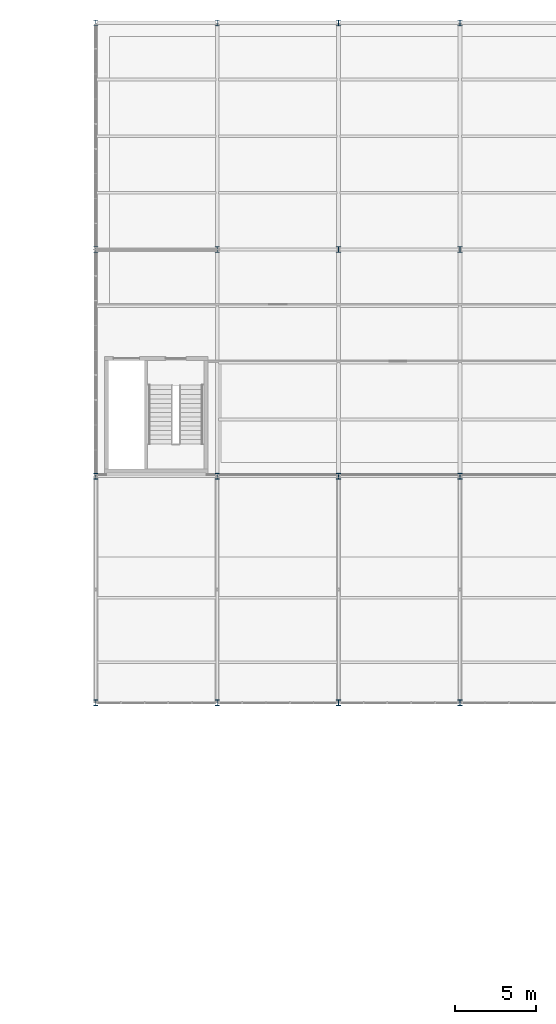
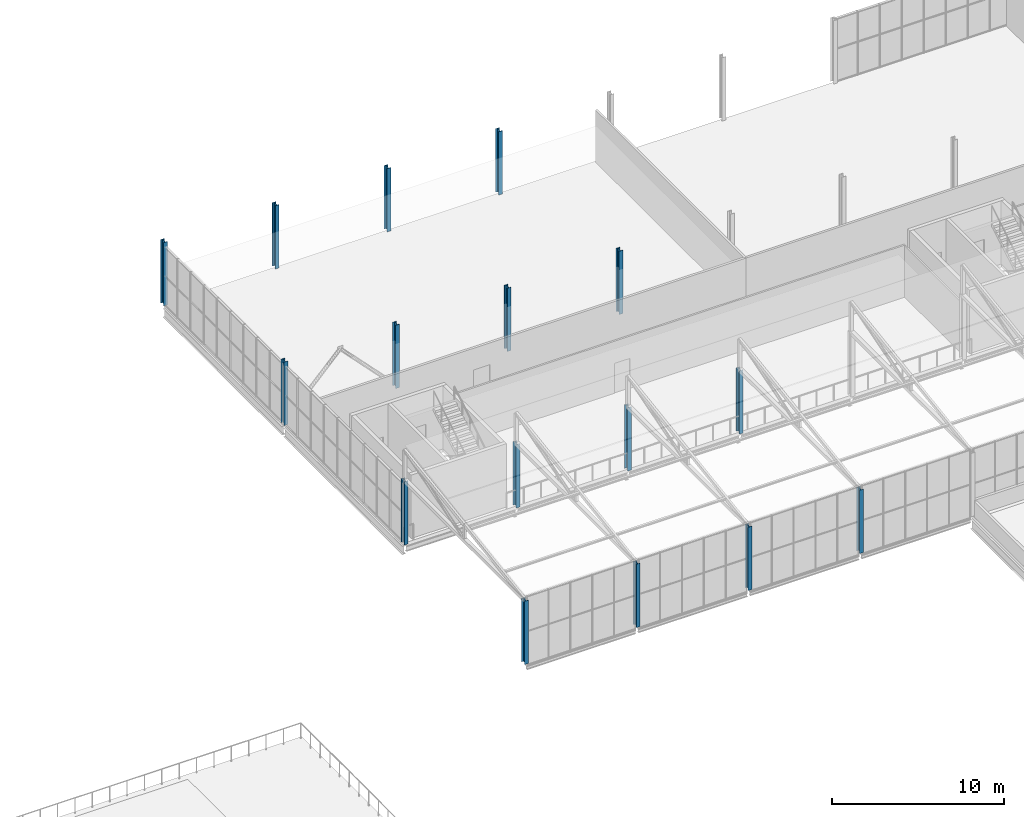
# One storey, part 3 of 104: 16 columns.
"""IFC4 building model written with IfcOpenShell, lengths in metres."""

from ifc_helpers import new_model, si_unit, direction, frame, origin, origin_2d, place, context, subcontext, project, spatial, i_section, extrude, material, material_profile, profile_set, type_object, element, save


model = new_model("IFC4")

# Units and contexts
model_context = context("Model", 3, precision=1e-05, world=origin(), true_north=direction((0.0, 1.0)))
body_context = subcontext(model_context, "Body", "Model", "MODEL_VIEW")
ifc_project = project(units=[si_unit("LENGTHUNIT", "METRE"), si_unit("AREAUNIT", "SQUARE_METRE"), si_unit("VOLUMEUNIT", "CUBIC_METRE"), si_unit("PLANEANGLEUNIT", "RADIAN"), si_unit("MASSUNIT", "GRAM", prefix="KILO")], contexts=[model_context])

# Site, building, storey
site_placement = place(None, origin())
site = spatial("IfcSite", under=ifc_project, at=site_placement, CompositionType="ELEMENT")
building_placement = place(site_placement, origin())
building = spatial("IfcBuilding", under=site, at=building_placement, Name="Solvenia Promenade Tram Depot", CompositionType="ELEMENT")
storey_placement = place(building_placement, frame((0.0, 0.0, 9.0)))
storey = spatial("IfcBuildingStorey", under=building, at=storey_placement, Name="L02", CompositionType="ELEMENT", Elevation=9.0)

# Columns
ifc_material = material(Name="Structural steel ASTM A992 Gr. 50", Category="steel")
ifc_material_profile = material_profile(ifc_material, i_section(OverallWidth=0.257080078125, OverallDepth=0.363037109375, WebThickness=0.012939453125, FlangeThickness=0.021728515625, FilletRadius=0.014892578125, at=origin_2d()), Name="W360x122", Category="steel")
ifc_profile_set = profile_set([ifc_material_profile], Name="Structural steel ASTM A992 Gr. 50")
column_type = type_object("IfcColumnType", Name="Col-W360x122", PredefinedType="COLUMN", material=ifc_profile_set)
for number, where, z_axis, x_axis, name in (
    (1, (105.0, 24.0, 0.0), (0.0, 0.0, 1.0), (1.0, 0.0, 0.0), "Steel Column COL-L02-198"),
    (2, (105.0, 38.0, 0.0), (0.0, 0.0, 1.0), (1.0, 0.0, 0.0), "Steel Column COL-L02-201"),
    (3, (105.0, 52.0, 0.0), (0.0, 0.0, 1.0), (1.0, 0.0, 0.0), "Steel Column COL-L02-204"),
    (4, (105.0, 66.0, 0.0), (0.0, 0.0, 1.0), (1.0, 0.0, 0.0), "Steel Column COL-L02-207"),
    (5, (112.5, 24.0, 0.0), (0.0, 0.0, 1.0), (1.0, 0.0, 0.0), "Steel Column COL-L02-213"),
    (6, (112.5, 38.0, 0.0), (0.0, 0.0, 1.0), (1.0, 0.0, 0.0), "Steel Column COL-L02-216"),
    (7, (112.5, 52.0, 0.0), (0.0, 0.0, 1.0), (1.0, 0.0, 0.0), "Steel Column COL-L02-219"),
    (8, (112.5, 66.0, 0.0), (0.0, 0.0, 1.0), (1.0, 0.0, 0.0), "Steel Column COL-L02-222"),
    (9, (120.0, 24.0, 0.0), (0.0, 0.0, 1.0), (1.0, 0.0, 0.0), "Steel Column COL-L02-228"),
    (10, (120.0, 38.0, 0.0), (0.0, 0.0, 1.0), (1.0, 0.0, 0.0), "Steel Column COL-L02-231"),
    (11, (120.0, 52.0, 0.0), (0.0, 0.0, 1.0), (1.0, 0.0, 0.0), "Steel Column COL-L02-235"),
    (12, (120.0, 66.0, 0.0), (0.0, 0.0, 1.0), (1.0, 0.0, 0.0), "Steel Column COL-L02-239"),
    (13, (127.5, 24.0, 0.0), (0.0, 0.0, 1.0), (1.0, 0.0, 0.0), "Steel Column COL-L02-246"),
    (14, (127.5, 38.0, 0.0), (0.0, 0.0, 1.0), (1.0, 0.0, 0.0), "Steel Column COL-L02-249"),
    (15, (127.5, 52.0, 0.0), (0.0, 0.0, 1.0), (1.0, 0.0, 0.0), "Steel Column COL-L02-253"),
    (16, (127.5, 66.0, 0.0), (0.0, 0.0, 1.0), (1.0, 0.0, 0.0), "Steel Column COL-L02-257"),
):
    element("IfcColumn", number, at=place(storey_placement, frame(where, z_axis=z_axis, x_axis=x_axis)), inside=storey, type_object=column_type, Name=name, PredefinedType="COLUMN", context=body_context, shape_type="SweptSolid", body=[
        extrude(i_section(OverallWidth=0.257080078125, OverallDepth=0.363037109375, WebThickness=0.012939453125, FlangeThickness=0.021728515625, FilletRadius=0.014892578125, at=origin_2d()), origin(), (0.0, 0.0, 1.0), 4.5),
    ])

save(model, "model.ifc")
